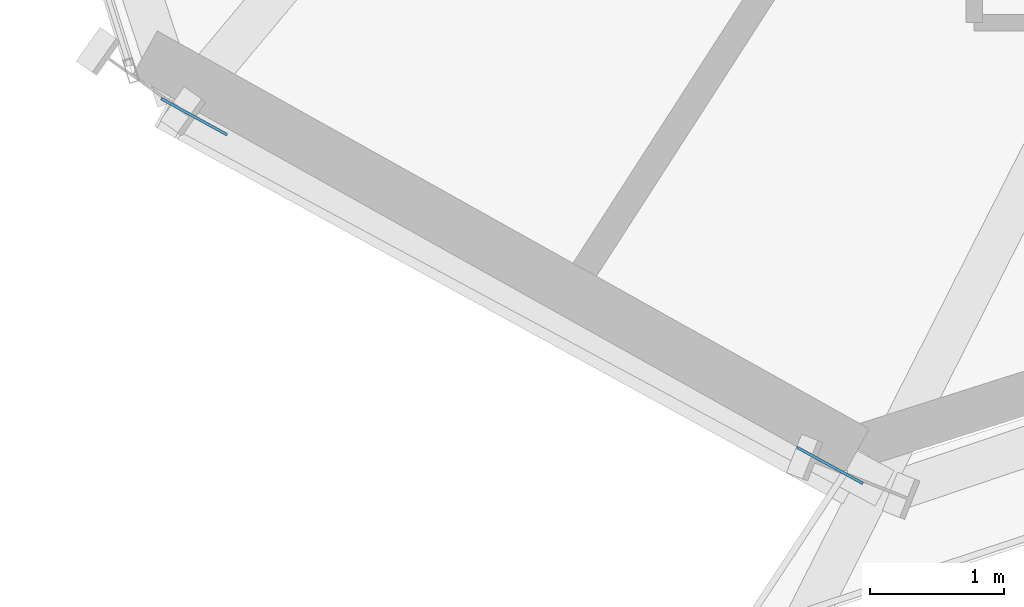
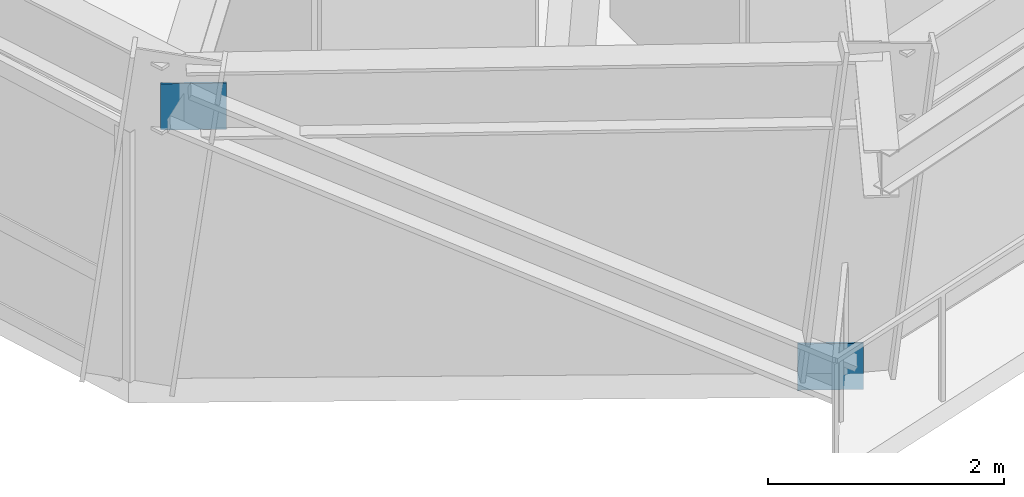
# One storey, part 12 of 21: 2 plates.
"""IFC4 building model written with IfcOpenShell, lengths in metres."""

from ifc_helpers import new_model, si_unit, direction, frame, origin, origin_2d, place, context, subcontext, project, spatial, rectangle, extrude, source, transform, mapped, material, type_object, element, save


model = new_model("IFC4")

# Units and contexts
model_context = context("Model", 3, precision=1e-05, world=origin(), true_north=direction((0.0, 1.0)))
body_context = subcontext(model_context, "Body", "Model", "MODEL_VIEW")
ifc_project = project(units=[si_unit("LENGTHUNIT", "METRE"), si_unit("AREAUNIT", "SQUARE_METRE"), si_unit("VOLUMEUNIT", "CUBIC_METRE"), si_unit("PLANEANGLEUNIT", "RADIAN"), si_unit("MASSUNIT", "GRAM", prefix="KILO")], contexts=[model_context])

# Site, building, storey
site_placement = place(None, origin())
site = spatial("IfcSite", under=ifc_project, at=site_placement, CompositionType="ELEMENT")
building_placement = place(site_placement, origin())
building = spatial("IfcBuilding", under=site, at=building_placement, Name="Olszyna Solenne Hotel", CompositionType="ELEMENT")
storey_placement = place(building_placement, frame((0.0, 0.0, 54.14990234375)))
storey = spatial("IfcBuildingStorey", under=building, at=storey_placement, Name="L13", CompositionType="ELEMENT", Elevation=54.14990234375)

# Plates
ifc_material = material(Name="Steel S355J2", Category="steel")
plate_type = type_object("IfcPlateType", Name="GP-ND2", PredefinedType="USERDEFINED", material=ifc_material)
shared_shape = source(origin(), body_context, "Body", "SweptSolid", [
    extrude(rectangle(XDim=0.56005859375, YDim=0.02001953125, at=origin_2d()), origin(), (0.0, 0.0, 1.0), 0.47998046875),
])
for number, where, z_axis, x_axis, name in (
    (1, (26.349609375, 4.22802734375, -0.165771484375), (0.0, 0.0, 1.0), (-0.876810690731, 0.480835743909, 0.0), "Brace end connection gusset plate GP-ND2 EP-BR-L13-3-1"),
    (2, (21.610595703125, 6.827392578125, 2.611083984375), (0.0, 0.0, 1.0), (-0.876810690731, 0.480835743909, 0.0), "Brace end connection gusset plate GP-ND2 EP-BR-L13-3-2"),
):
    element("IfcPlate", number, at=place(storey_placement, frame(where, z_axis=z_axis, x_axis=x_axis)), inside=storey, type_object=plate_type, Name=name, ObjectType="GUSSET_PLATE", PredefinedType="USERDEFINED", context=body_context, shape_type="MappedRepresentation", body=[
        mapped(shared_shape, transform((0.0, 0.0, 0.0), x_axis=(1.0, 0.0, 0.0), y_axis=(0.0, 1.0, 0.0), z_axis=(0.0, 0.0, 1.0), scale=1.0)),
    ])

save(model, "model.ifc")
